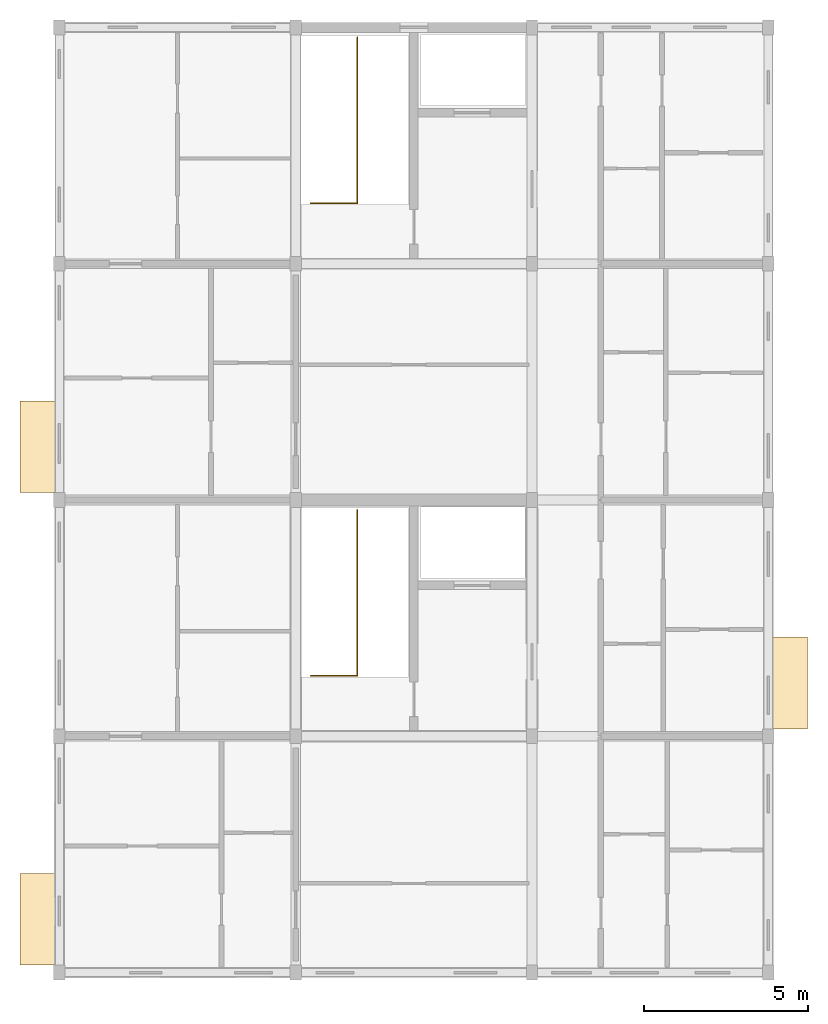
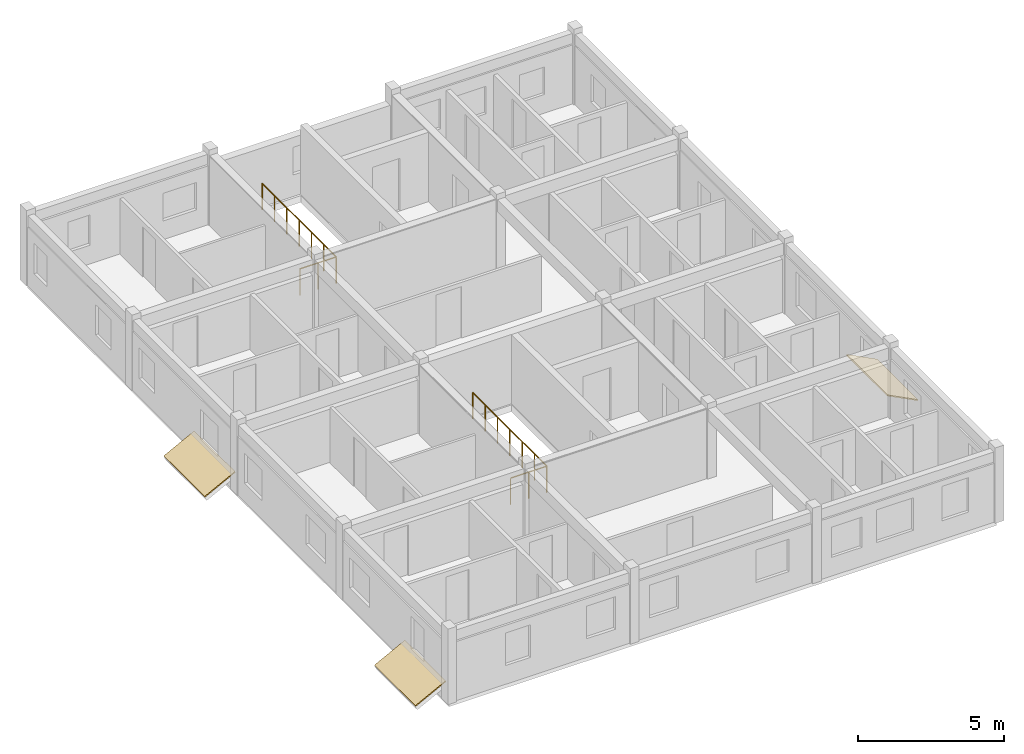
# One storey, part 6 of 6: 3 coverings, 2 railings.
"""IFC4 building model written with IfcOpenShell, lengths in metres."""

from ifc_helpers import new_model, si_unit, direction, frame, origin, origin_2d, place, context, subcontext, project, spatial, polyline, circle, outline, extrude, material, layer, layer_set, type_object, element, save


model = new_model("IFC4")

# Units and contexts
model_context = context("Model", 3, precision=1e-05, world=origin(), true_north=direction((0.0, 1.0)))
body_context = subcontext(model_context, "Body", "Model", "MODEL_VIEW")
ifc_project = project(units=[si_unit("LENGTHUNIT", "METRE"), si_unit("AREAUNIT", "SQUARE_METRE"), si_unit("VOLUMEUNIT", "CUBIC_METRE"), si_unit("PLANEANGLEUNIT", "RADIAN"), si_unit("MASSUNIT", "GRAM", prefix="KILO"), si_unit("THERMODYNAMICTEMPERATUREUNIT", "KELVIN"), si_unit("POWERUNIT", "WATT")], contexts=[model_context])

# Site, building, storey
site_placement = place(None, origin())
site = spatial("IfcSite", under=ifc_project, at=site_placement, CompositionType="ELEMENT")
building_placement = place(site_placement, origin())
building = spatial("IfcBuilding", under=site, at=building_placement, Name="Tavuni Mirador Residences", CompositionType="ELEMENT")
storey_placement = place(building_placement, frame((0.0, 0.0, 48.60009765625)))
storey = spatial("IfcBuildingStorey", under=building, at=storey_placement, Name="L15", CompositionType="ELEMENT", Elevation=48.60009765625)

# Coverings
ifc_material_1 = material(Name="Glazed ceramic roof tile", Category="masonry")
ifc_layer = layer(ifc_material_1, 0.044921875, Name="Glazed ceramic roof tile", Category="masonry")
ifc_layer_set = layer_set([ifc_layer], Name="Glazed ceramic roof tile")
covering_type = type_object("IfcCoveringType", Name="CVT-ROOF-TILE", PredefinedType="ROOFING", material=ifc_layer_set)
covering_1_placement = place(storey_placement, frame((3.60009765625, 7.425048828125, 0.664794921875), z_axis=(-0.458886902548, 0.0, 0.888494688037), x_axis=(0.0, 1.0, 0.0)))
element("IfcCovering", 1, at=covering_1_placement, inside=storey, type_object=covering_type, Name="COV-RF-MIR-A-W1", PredefinedType="ROOFING", context=body_context, shape_type="SweptSolid", body=[
    extrude(outline(polyline([(0.0, 0.0), (2.794921875, 0.0), (2.794921875, 1.3508187822165743), (0.0, 1.3508187822165743), (0.0, 0.0)])), origin(), (0.0, 0.0, -1.0), 0.044921875),
])
covering_2_placement = place(storey_placement, frame((3.60009765625, 21.824951171875, 0.664794921875), z_axis=(-0.458886902548, 0.0, 0.888494688037), x_axis=(0.0, 1.0, 0.0)))
element("IfcCovering", 2, at=covering_2_placement, inside=storey, type_object=covering_type, Name="COV-RF-MIR-A-W2", PredefinedType="ROOFING", context=body_context, shape_type="SweptSolid", body=[
    extrude(outline(polyline([(0.0, 0.0), (2.795166015625, 0.0), (2.795166015625, 1.3508187822165745), (0.0, 1.3508187822165745), (0.0, 0.0)])), origin(), (0.0, 0.0, -1.0), 0.044921875),
])
covering_3_placement = place(storey_placement, frame((25.199951171875, 14.625, 0.664794921875), z_axis=(0.458960601939, 0.0, 0.888456620138), x_axis=(0.0, 1.0, 0.0)))
element("IfcCovering", 3, at=covering_3_placement, inside=storey, type_object=covering_type, Name="COV-RF-MIR-A-EU", PredefinedType="ROOFING", context=body_context, shape_type="SweptSolid", body=[
    extrude(outline(polyline([(0.0, 0.0), (2.794921875, 0.0), (2.794921875, -1.3506018692147148), (0.0, -1.3506018692147148), (0.0, 0.0)])), origin(), (0.0, 0.0, -1.0), 0.044921875),
])

# Railings
ifc_material_2 = material(Name="Structural steel S355", Category="steel")
railing_type = type_object("IfcRailingType", Name="RT-GR1120", PredefinedType="GUARDRAIL", material=ifc_material_2)
for number, where, name in (
    (4, (11.25, 16.239990234375, 0.0), "GRD-TOP-ST1"),
    (5, (11.25, 30.639892578125, 0.0), "GRD-TOP-ST2"),
):
    element("IfcRailing", number, at=place(storey_placement, frame(where)), inside=storey, type_object=railing_type, Name=name, PredefinedType="GUARDRAIL", context=body_context, shape_type="SweptSolid", body=[
        extrude(circle(Radius=0.02392578125, at=origin_2d()), frame((0.0, 0.0, 1.09619140625), z_axis=(1.0, 0.0, 0.0), x_axis=(0.0, 1.0, 0.0)), (0.0, 0.0, 1.0), 1.429931640625),
        extrude(circle(Radius=0.02392578125, at=origin_2d()), frame((1.429931640625, 0.0, 1.09619140625), z_axis=(0.0, 1.0, 0.0), x_axis=(-1.0, 0.0, 0.0)), (0.0, 0.0, 1.0), 5.06005859375),
        extrude(circle(Radius=0.02099609375, at=origin_2d()), origin(), (0.0, 0.0, 1.0), 1.072021484375),
        extrude(circle(Radius=0.02099609375, at=origin_2d()), frame((0.71484375, 0.0, 0.0)), (0.0, 0.0, 1.0), 1.072021484375),
        extrude(circle(Radius=0.02099609375, at=origin_2d()), frame((1.429931640625, 0.0, 0.0)), (0.0, 0.0, 1.0), 1.072021484375),
        extrude(circle(Radius=0.02099609375, at=origin_2d()), frame((1.429931640625, 0.84326171875, 0.0)), (0.0, 0.0, 1.0), 1.072021484375),
        extrude(circle(Radius=0.02099609375, at=origin_2d()), frame((1.429931640625, 1.686767578125, 0.0)), (0.0, 0.0, 1.0), 1.072021484375),
        extrude(circle(Radius=0.02099609375, at=origin_2d()), frame((1.429931640625, 2.530029296875, 0.0)), (0.0, 0.0, 1.0), 1.072021484375),
        extrude(circle(Radius=0.02099609375, at=origin_2d()), frame((1.429931640625, 3.373291015625, 0.0)), (0.0, 0.0, 1.0), 1.072021484375),
        extrude(circle(Radius=0.02099609375, at=origin_2d()), frame((1.429931640625, 4.216796875, 0.0)), (0.0, 0.0, 1.0), 1.072021484375),
        extrude(circle(Radius=0.02099609375, at=origin_2d()), frame((1.429931640625, 5.06005859375, 0.0)), (0.0, 0.0, 1.0), 1.072021484375),
    ])

save(model, "model.ifc")
